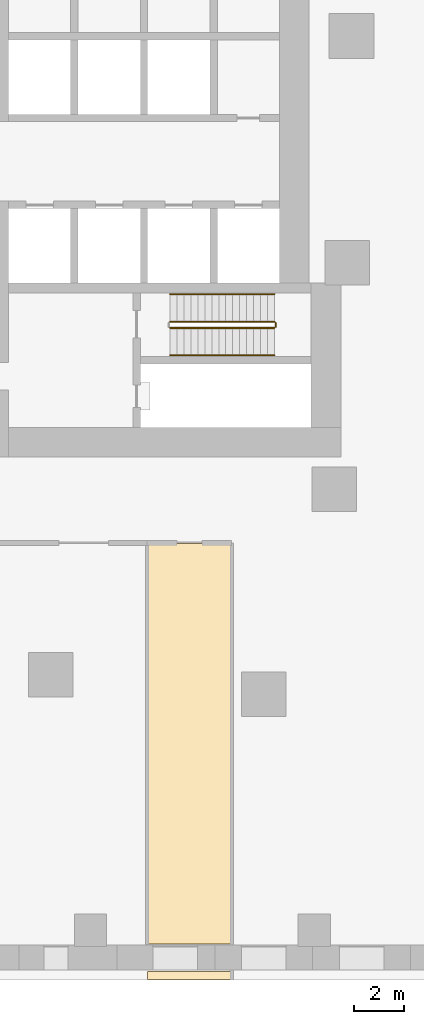
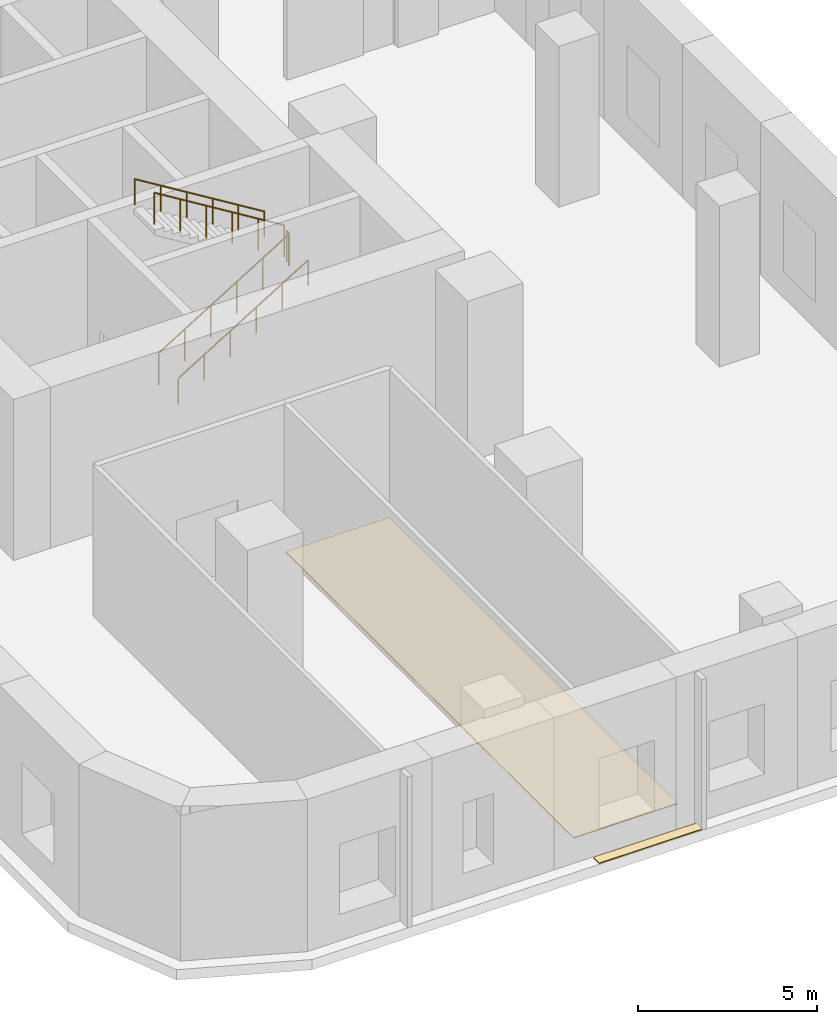
# One storey, part 11 of 13: 5 railings, 2 coverings.
"""IFC4 building model written with IfcOpenShell, lengths in metres."""

from ifc_helpers import new_model, si_unit, direction, frame, origin, origin_2d, place, context, subcontext, project, spatial, polyline, circle, outline, extrude, material, layer, layer_set, type_object, element, save


model = new_model("IFC4")

# Units and contexts
model_context = context("Model", 3, precision=1e-05, world=origin(), true_north=direction((0.0, 1.0)))
body_context = subcontext(model_context, "Body", "Model", "MODEL_VIEW")
ifc_project = project(units=[si_unit("LENGTHUNIT", "METRE"), si_unit("AREAUNIT", "SQUARE_METRE"), si_unit("VOLUMEUNIT", "CUBIC_METRE"), si_unit("PLANEANGLEUNIT", "RADIAN"), si_unit("MASSUNIT", "GRAM", prefix="KILO")], contexts=[model_context])

# Site, building, storey
site_placement = place(None, origin())
site = spatial("IfcSite", under=ifc_project, at=site_placement, CompositionType="ELEMENT")
building_placement = place(site_placement, origin())
building = spatial("IfcBuilding", under=site, at=building_placement, Name="Ostrand Prow Hotel Tower", CompositionType="ELEMENT")
storey_placement = place(building_placement, frame((0.0, 0.0, 13.5)))
storey = spatial("IfcBuildingStorey", under=building, at=storey_placement, Name="L02", CompositionType="ELEMENT", Elevation=13.5)

# Railings
ifc_material_1 = material(Name="Painted steel", Category="steel")
railing_type_1 = type_object("IfcRailingType", Name="Stair guard 1100", PredefinedType="GUARDRAIL", material=ifc_material_1)
railing_1_placement = place(storey_placement, frame((57.199951171875, -11.75, 0.171875)))
element("IfcRailing", 1, at=railing_1_placement, inside=storey, type_object=railing_type_1, Name="L02 ST2B stair guard 1", PredefinedType="GUARDRAIL", context=body_context, shape_type="SweptSolid", body=[
    extrude(circle(Radius=0.02392578125, at=origin_2d()), frame((0.0, 0.0, 1.076171875), z_axis=(0.852242915053, 0.0, 0.523146264196), x_axis=(0.0, 1.0, 0.0)), (0.0, 0.0, 1.0), 4.92822265625),
    extrude(circle(Radius=0.02099609375, at=origin_2d()), origin(), (0.0, 0.0, 1.0), 1.052001953125),
    extrude(circle(Radius=0.02099609375, at=origin_2d()), frame((0.840087890625, 0.0, 0.515625)), (0.0, 0.0, 1.0), 1.052001953125),
    extrude(circle(Radius=0.02099609375, at=origin_2d()), frame((1.679931640625, 0.0, 1.03125)), (0.0, 0.0, 1.0), 1.052001953125),
    extrude(circle(Radius=0.02099609375, at=origin_2d()), frame((2.52001953125, 0.0, 1.546875)), (0.0, 0.0, 1.0), 1.052001953125),
    extrude(circle(Radius=0.02099609375, at=origin_2d()), frame((3.35986328125, 0.0, 2.0625)), (0.0, 0.0, 1.0), 1.052001953125),
    extrude(circle(Radius=0.02099609375, at=origin_2d()), frame((4.199951171875, 0.0, 2.578125)), (0.0, 0.0, 1.0), 1.052001953125),
])
railing_2_placement = place(storey_placement, frame((61.449951171875, -11.699951171875, 2.75)))
element("IfcRailing", 2, at=railing_2_placement, inside=storey, type_object=railing_type_1, Name="L02 ST2B stair guard 2", PredefinedType="GUARDRAIL", context=body_context, shape_type="SweptSolid", body=[
    extrude(circle(Radius=0.02392578125, at=origin_2d()), frame((0.0, 0.0, 1.076171875), z_axis=(0.0, 1.0, 0.0), x_axis=(-1.0, 0.0, 0.0)), (0.0, 0.0, 1.0), 0.14990234375),
    extrude(circle(Radius=0.02099609375, at=origin_2d()), origin(), (0.0, 0.0, 1.0), 1.052001953125),
    extrude(circle(Radius=0.02099609375, at=origin_2d()), frame((0.0, 0.14990234375, 0.0)), (0.0, 0.0, 1.0), 1.052001953125),
])
railing_3_placement = place(storey_placement, frame((61.39990234375, -11.5, 2.921875)))
element("IfcRailing", 3, at=railing_3_placement, inside=storey, type_object=railing_type_1, Name="L02 ST2B stair guard 3", PredefinedType="GUARDRAIL", context=body_context, shape_type="SweptSolid", body=[
    extrude(circle(Radius=0.02392578125, at=origin_2d()), frame((0.0, 0.0, 1.076171875), z_axis=(-0.852242915053, 0.0, 0.523146264196), x_axis=(0.0, -1.0, 0.0)), (0.0, 0.0, 1.0), 4.92822265625),
    extrude(circle(Radius=0.02099609375, at=origin_2d()), origin(), (0.0, 0.0, 1.0), 1.052001953125),
    extrude(circle(Radius=0.02099609375, at=origin_2d()), frame((-0.840087890625, 0.0, 0.515625)), (0.0, 0.0, 1.0), 1.052001953125),
    extrude(circle(Radius=0.02099609375, at=origin_2d()), frame((-1.679931640625, 0.0, 1.03125)), (0.0, 0.0, 1.0), 1.052001953125),
    extrude(circle(Radius=0.02099609375, at=origin_2d()), frame((-2.52001953125, 0.0, 1.546875)), (0.0, 0.0, 1.0), 1.052001953125),
    extrude(circle(Radius=0.02099609375, at=origin_2d()), frame((-3.35986328125, 0.0, 2.0625)), (0.0, 0.0, 1.0), 1.052001953125),
    extrude(circle(Radius=0.02099609375, at=origin_2d()), frame((-4.199951171875, 0.0, 2.578125)), (0.0, 0.0, 1.0), 1.052001953125),
])
ifc_material_2 = material(Name="Stainless steel", Category="steel")
railing_type_2 = type_object("IfcRailingType", Name="Stair handrail 900", PredefinedType="HANDRAIL", material=ifc_material_2)
railing_4_placement = place(storey_placement, frame((57.199951171875, -12.85009765625, 0.171875)))
element("IfcRailing", 4, at=railing_4_placement, inside=storey, type_object=railing_type_2, Name="L02 ST2B stair handrail 1", PredefinedType="HANDRAIL", context=body_context, shape_type="SweptSolid", body=[
    extrude(circle(Radius=0.02392578125, at=origin_2d()), frame((0.0, 0.0, 0.8759765625), z_axis=(0.852242915053, 0.0, 0.523146264196), x_axis=(0.0, 1.0, 0.0)), (0.0, 0.0, 1.0), 4.92822265625),
    extrude(circle(Radius=0.02099609375, at=origin_2d()), origin(), (0.0, 0.0, 1.0), 0.851806640625),
    extrude(circle(Radius=0.02099609375, at=origin_2d()), frame((0.840087890625, 0.0, 0.515625)), (0.0, 0.0, 1.0), 0.851806640625),
    extrude(circle(Radius=0.02099609375, at=origin_2d()), frame((1.679931640625, 0.0, 1.03125)), (0.0, 0.0, 1.0), 0.851806640625),
    extrude(circle(Radius=0.02099609375, at=origin_2d()), frame((2.52001953125, 0.0, 1.546875)), (0.0, 0.0, 1.0), 0.851806640625),
    extrude(circle(Radius=0.02099609375, at=origin_2d()), frame((3.35986328125, 0.0, 2.0625)), (0.0, 0.0, 1.0), 0.851806640625),
    extrude(circle(Radius=0.02099609375, at=origin_2d()), frame((4.199951171875, 0.0, 2.578125)), (0.0, 0.0, 1.0), 0.851806640625),
])
railing_5_placement = place(storey_placement, frame((61.39990234375, -10.39990234375, 2.921875)))
element("IfcRailing", 5, at=railing_5_placement, inside=storey, type_object=railing_type_2, Name="L02 ST2B stair handrail 2", PredefinedType="HANDRAIL", context=body_context, shape_type="SweptSolid", body=[
    extrude(circle(Radius=0.02392578125, at=origin_2d()), frame((0.0, 0.0, 0.8759765625), z_axis=(-0.852242915053, 0.0, 0.523146264196), x_axis=(0.0, -1.0, 0.0)), (0.0, 0.0, 1.0), 4.92822265625),
    extrude(circle(Radius=0.02099609375, at=origin_2d()), origin(), (0.0, 0.0, 1.0), 0.851806640625),
    extrude(circle(Radius=0.02099609375, at=origin_2d()), frame((-0.840087890625, 0.0, 0.515625)), (0.0, 0.0, 1.0), 0.851806640625),
    extrude(circle(Radius=0.02099609375, at=origin_2d()), frame((-1.679931640625, 0.0, 1.03125)), (0.0, 0.0, 1.0), 0.851806640625),
    extrude(circle(Radius=0.02099609375, at=origin_2d()), frame((-2.52001953125, 0.0, 1.546875)), (0.0, 0.0, 1.0), 0.851806640625),
    extrude(circle(Radius=0.02099609375, at=origin_2d()), frame((-3.35986328125, 0.0, 2.0625)), (0.0, 0.0, 1.0), 0.851806640625),
    extrude(circle(Radius=0.02099609375, at=origin_2d()), frame((-4.199951171875, 0.0, 2.578125)), (0.0, 0.0, 1.0), 0.851806640625),
])

# Coverings
ifc_material_3 = material(Name="Polished limestone", Category="masonry")
ifc_layer = layer(ifc_material_3, 0.030029296875)
ifc_layer_set = layer_set([ifc_layer], Name="Polished limestone")
covering_type = type_object("IfcCoveringType", Name="Stone floor finish 30 mm", PredefinedType="FLOORING", material=ifc_layer_set)
covering_1_placement = place(storey_placement, origin())
element("IfcCovering", 6, at=covering_1_placement, inside=storey, type_object=covering_type, Name="Floor finish Private Dining Room 1", PredefinedType="FLOORING", context=body_context, shape_type="SweptSolid", body=[
    extrude(outline(polyline([(59.659912109375, -37.97998046875), (59.659912109375, -37.64990234375), (59.0, -37.64990234375), (56.300048828125, -37.64990234375), (56.300048828125, -37.97998046875), (59.659912109375, -37.97998046875)])), origin(), (0.0, 0.0, 1.0), 0.030029296875),
])
covering_2_placement = place(storey_placement, origin())
element("IfcCovering", 7, at=covering_2_placement, inside=storey, type_object=covering_type, Name="Floor finish Private Dining Room 2", PredefinedType="FLOORING", context=body_context, shape_type="SweptSolid", body=[
    extrude(outline(polyline([(59.659912109375, -36.550048828125), (59.659912109375, -20.419921875), (56.300048828125, -20.419921875), (56.300048828125, -36.550048828125), (59.0, -36.550048828125), (59.659912109375, -36.550048828125)])), origin(), (0.0, 0.0, 1.0), 0.030029296875),
])

save(model, "model.ifc")
